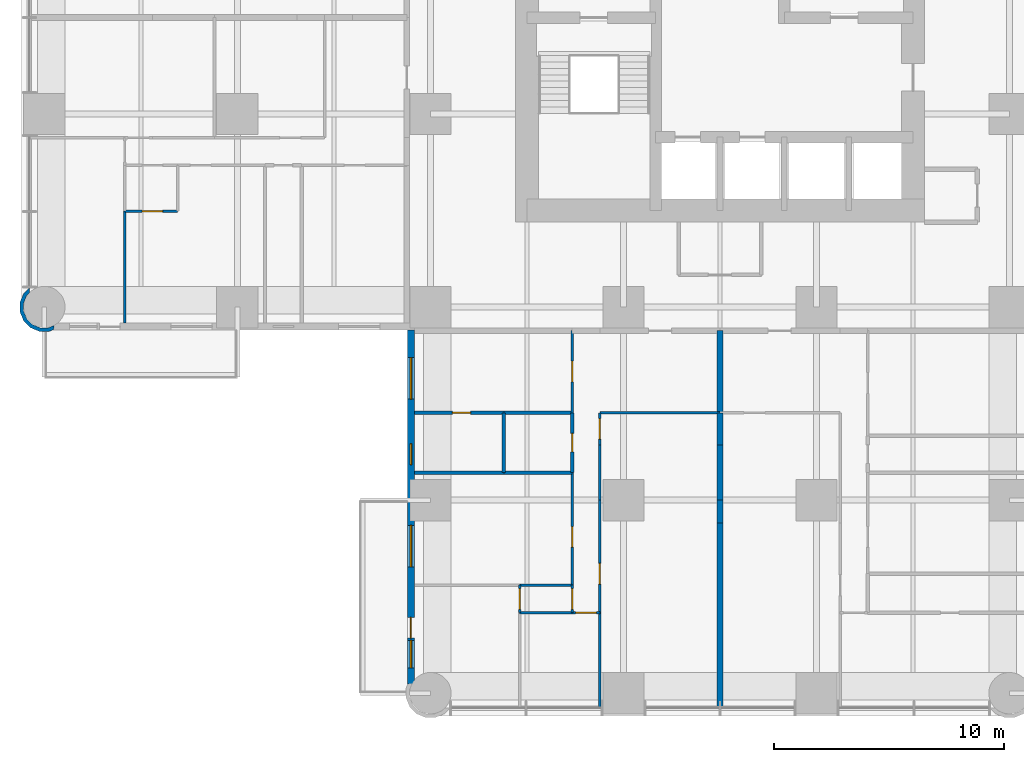
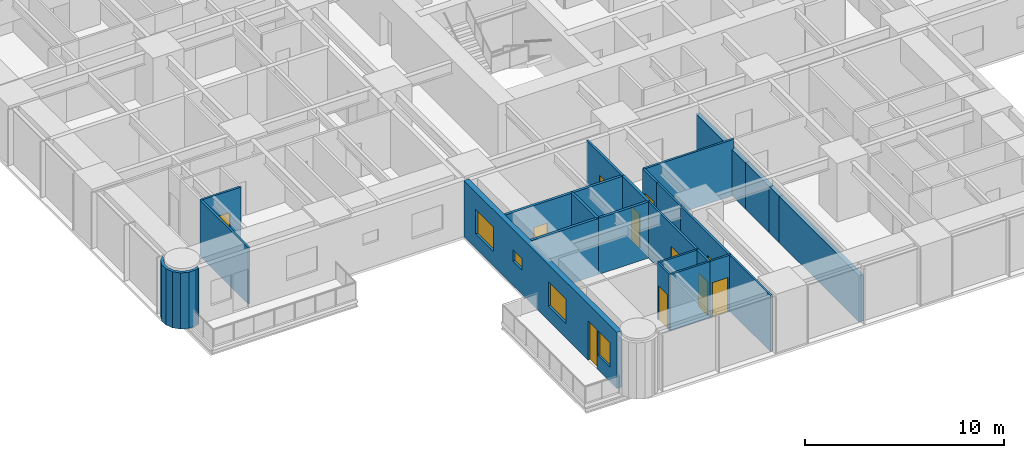
# One storey, part 7 of 17: 27 walls, 11 doors, 4 windows, 15 openings.
"""IFC4 building model written with IfcOpenShell, lengths in metres."""

from ifc_helpers import new_model, si_unit, direction, frame, frame_2d, origin, place, context, subcontext, project, spatial, polyline, rectangle, outline, extrude, material, layer, layer_set, type_object, element, fill, save


model = new_model("IFC4")

# Units and contexts
model_context = context("Model", 3, precision=1e-05, world=origin(), true_north=direction((0.0, 1.0)))
body_context = subcontext(model_context, "Body", "Model", "MODEL_VIEW")
ifc_project = project(units=[si_unit("LENGTHUNIT", "METRE"), si_unit("AREAUNIT", "SQUARE_METRE"), si_unit("VOLUMEUNIT", "CUBIC_METRE"), si_unit("PLANEANGLEUNIT", "RADIAN"), si_unit("MASSUNIT", "GRAM", prefix="KILO")], contexts=[model_context])

# Site, building, storey
site_placement = place(None, origin())
site = spatial("IfcSite", under=ifc_project, at=site_placement, CompositionType="ELEMENT")
building_placement = place(site_placement, origin())
building = spatial("IfcBuilding", under=site, at=building_placement, Name="Torre Alcanfor", CompositionType="ELEMENT")
storey_placement = place(building_placement, frame((0.0, 0.0, 45.300048828125)))
storey = spatial("IfcBuildingStorey", under=building, at=storey_placement, Name="L10", CompositionType="ELEMENT", Elevation=45.300048828125)

# Wall
ifc_material_1 = material(Name="Gypsum board on steel studs", Category="steel")
ifc_layer_1 = layer(ifc_material_1, 0.1201171875)
ifc_layer_set_1 = layer_set([ifc_layer_1], Name="Apartment partition 120")
wall_type_1 = type_object("IfcWallType", Name="Apartment partition 120", PredefinedType="PARTITIONING", material=ifc_layer_set_1)
wall_1_placement = place(storey_placement, frame((29.39990234375, 12.199951171875, 0.0), z_axis=(0.0, 0.0, 1.0), x_axis=(-1.0, 0.0, 0.0)))
element("IfcWall", 1, at=wall_1_placement, inside=storey, type_object=wall_type_1, Name="Partition L10-S2-ZAG / L10-S2-LAUND", PredefinedType="PARTITIONING", context=body_context, shape_type="SweptSolid", body=[
    extrude(rectangle(XDim=5.22900390625, YDim=0.1201171875, at=frame_2d((2.614501953125, 0.0))), origin(), (0.0, 0.0, 1.0), 3.449951171875),
])

# Wall, opening, door
wall_2_placement = place(storey_placement, frame((24.1708984375, 10.800048828125, 0.0), z_axis=(0.0, 0.0, 1.0), x_axis=(0.0, 1.0, 0.0)))
wall_2 = element("IfcWall", 2, at=wall_2_placement, inside=storey, type_object=wall_type_1, Name="Partition L10-S2-LAUND / L10-S2-HALL", PredefinedType="PARTITIONING", context=body_context, shape_type="SweptSolid", body=[
    extrude(rectangle(XDim=1.39990234375, YDim=0.1201171875, at=frame_2d((0.699951171875, 0.0))), origin(), (0.0, 0.0, 1.0), 3.449951171875),
])
opening_1_placement = place(wall_2_placement, frame((0.25, 0.0, 0.0)))
opening_1 = element("IfcOpeningElement", 3, at=opening_1_placement, cuts=wall_2, Name="Opening D-R1", PredefinedType="OPENING", context=body_context, shape_type="SweptSolid", body=[
    extrude(rectangle(XDim=0.89990234375, YDim=2.10009765625, at=frame_2d((0.449951171875, 1.050048828125))), frame((0.0, 0.070068359375, 0.0), z_axis=(0.0, -1.0, 0.0), x_axis=(1.0, 0.0, 0.0)), (0.0, 0.0, 1.0), 0.14013671875),
])
ifc_material_2 = material(Name="Timber", Category="wood")
door_type_1 = type_object("IfcDoorType", Name="Internal door 900x2100", OperationType="SINGLE_SWING_LEFT", PredefinedType="DOOR", material=ifc_material_2)
door_1_placement = place(opening_1_placement, frame((0.89990234375, 0.0, 0.0), z_axis=(0.0, 0.0, 1.0), x_axis=(-1.0, 0.0, 0.0)))
door_1 = element("IfcDoor", 4, at=door_1_placement, inside=storey, type_object=door_type_1, Name="Door L10-S2 laund", OperationType="SINGLE_SWING_RIGHT", OverallHeight=2.10009765625, OverallWidth=0.89990234375, PredefinedType="DOOR", context=body_context, shape_type="SweptSolid", body=[
    extrude(rectangle(XDim=0.89990234375, YDim=2.10009765625, at=frame_2d((0.449951171875, 1.050048828125))), frame((0.0, 0.025146484375, 0.0), z_axis=(0.0, -1.0, 0.0), x_axis=(1.0, 0.0, 0.0)), (0.0, 0.0, 1.0), 0.050048828125),
])
fill(opening_1, door_1)

# Wall
wall_3_placement = place(storey_placement, frame((24.1708984375, 8.39990234375, 0.0), z_axis=(0.0, 0.0, 1.0), x_axis=(0.0, 1.0, 0.0)))
element("IfcWall", 5, at=wall_3_placement, inside=storey, type_object=wall_type_1, Name="Partition L10-S2-KITCHEN / L10-S2-HALL", PredefinedType="PARTITIONING", context=body_context, shape_type="SweptSolid", body=[
    extrude(rectangle(XDim=2.400146484375, YDim=0.1201171875, at=frame_2d((1.2001953125, 0.0))), origin(), (0.0, 0.0, 1.0), 3.449951171875),
])

# Wall, opening, door
wall_4_placement = place(storey_placement, frame((24.1708984375, 3.5, 0.0), z_axis=(0.0, 0.0, 1.0), x_axis=(0.0, 1.0, 0.0)))
wall_4 = element("IfcWall", 6, at=wall_4_placement, inside=storey, type_object=wall_type_1, Name="Partition L10-S2-LIVING / L10-S2-HALL", PredefinedType="PARTITIONING", context=body_context, shape_type="SweptSolid", body=[
    extrude(rectangle(XDim=4.89990234375, YDim=0.1201171875, at=frame_2d((2.449951171875, 0.0))), origin(), (0.0, 0.0, 1.0), 3.449951171875),
])
opening_2_placement = place(wall_4_placement, frame((1.25, 0.0, 0.0)))
opening_2 = element("IfcOpeningElement", 7, at=opening_2_placement, cuts=wall_4, Name="Opening D-R1", PredefinedType="OPENING", context=body_context, shape_type="SweptSolid", body=[
    extrude(rectangle(XDim=0.89990234375, YDim=2.10009765625, at=frame_2d((0.449951171875, 1.050048828125))), frame((0.0, 0.070068359375, 0.0), z_axis=(0.0, -1.0, 0.0), x_axis=(1.0, 0.0, 0.0)), (0.0, 0.0, 1.0), 0.14013671875),
])
door_2_placement = place(opening_2_placement, frame((0.89990234375, 0.0, 0.0), z_axis=(0.0, 0.0, 1.0), x_axis=(-1.0, 0.0, 0.0)))
door_2 = element("IfcDoor", 8, at=door_2_placement, inside=storey, type_object=door_type_1, Name="Door L10-S2 living", OperationType="SINGLE_SWING_LEFT", OverallHeight=2.10009765625, OverallWidth=0.89990234375, PredefinedType="DOOR", context=body_context, shape_type="SweptSolid", body=[
    extrude(rectangle(XDim=0.89990234375, YDim=2.10009765625, at=frame_2d((0.449951171875, 1.050048828125))), frame((0.0, 0.025146484375, 0.0), z_axis=(0.0, -1.0, 0.0), x_axis=(1.0, 0.0, 0.0)), (0.0, 0.0, 1.0), 0.050048828125),
])
fill(opening_2, door_2)

# Wall
wall_5_placement = place(storey_placement, frame((24.1708984375, -0.64990234375, 0.0), z_axis=(0.0, 0.0, 1.0), x_axis=(0.0, 1.0, 0.0)))
element("IfcWall", 9, at=wall_5_placement, inside=storey, type_object=wall_type_1, Name="Partition L10-S2-LIVING / L10-S2-BED2", PredefinedType="PARTITIONING", context=body_context, shape_type="SweptSolid", body=[
    extrude(rectangle(XDim=4.14990234375, YDim=0.1201171875, at=frame_2d((2.074951171875, 0.0))), origin(), (0.0, 0.0, 1.0), 3.449951171875),
])

# Wall, opening, door
wall_6_placement = place(storey_placement, frame((22.970947265625, 12.199951171875, 0.0), z_axis=(0.0, 0.0, 1.0), x_axis=(0.0, 1.0, 0.0)))
wall_6 = element("IfcWall", 10, at=wall_6_placement, inside=storey, type_object=wall_type_1, Name="Partition L10-S2-HALL / L10-S2-SERV", PredefinedType="PARTITIONING", context=body_context, shape_type="SweptSolid", body=[
    extrude(rectangle(XDim=3.574951171875, YDim=0.1201171875, at=frame_2d((1.78759765625, 0.0))), origin(), (0.0, 0.0, 1.0), 3.449951171875),
])
opening_3_placement = place(wall_6_placement, frame((1.35009765625, 0.0, 0.0)))
opening_3 = element("IfcOpeningElement", 11, at=opening_3_placement, cuts=wall_6, Name="Opening D-R1", PredefinedType="OPENING", context=body_context, shape_type="SweptSolid", body=[
    extrude(rectangle(XDim=0.89990234375, YDim=2.10009765625, at=frame_2d((0.449951171875, 1.050048828125))), frame((0.0, 0.070068359375, 0.0), z_axis=(0.0, -1.0, 0.0), x_axis=(1.0, 0.0, 0.0)), (0.0, 0.0, 1.0), 0.14013671875),
])
door_3_placement = place(opening_3_placement, origin())
door_3 = element("IfcDoor", 12, at=door_3_placement, inside=storey, type_object=door_type_1, Name="Door L10-S2 serv", OperationType="SINGLE_SWING_RIGHT", OverallHeight=2.10009765625, OverallWidth=0.89990234375, PredefinedType="DOOR", context=body_context, shape_type="SweptSolid", body=[
    extrude(rectangle(XDim=0.89990234375, YDim=2.10009765625, at=frame_2d((0.449951171875, 1.050048828125))), frame((0.0, 0.02490234375, 0.0), z_axis=(0.0, -1.0, 0.0), x_axis=(1.0, 0.0, 0.0)), (0.0, 0.0, 1.0), 0.050048828125),
])
fill(opening_3, door_3)

wall_7_placement = place(storey_placement, frame((22.970947265625, 4.699951171875, 0.0), z_axis=(0.0, 0.0, 1.0), x_axis=(0.0, 1.0, 0.0)))
wall_7 = element("IfcWall", 13, at=wall_7_placement, inside=storey, type_object=wall_type_1, Name="Partition L10-S2-HALL / L10-S2-BED3", PredefinedType="PARTITIONING", context=body_context, shape_type="SweptSolid", body=[
    extrude(rectangle(XDim=4.900146484375, YDim=0.1201171875, at=frame_2d((2.4501953125, 0.0))), origin(), (0.0, 0.0, 1.0), 3.449951171875),
])
opening_4_placement = place(wall_7_placement, frame((1.64990234375, 0.0, 0.0)))
opening_4 = element("IfcOpeningElement", 14, at=opening_4_placement, cuts=wall_7, Name="Opening D-R1", PredefinedType="OPENING", context=body_context, shape_type="SweptSolid", body=[
    extrude(rectangle(XDim=0.89990234375, YDim=2.10009765625, at=frame_2d((0.449951171875, 1.050048828125))), frame((0.0, 0.070068359375, 0.0), z_axis=(0.0, -1.0, 0.0), x_axis=(1.0, 0.0, 0.0)), (0.0, 0.0, 1.0), 0.14013671875),
])
door_4_placement = place(opening_4_placement, origin())
door_4 = element("IfcDoor", 15, at=door_4_placement, inside=storey, type_object=door_type_1, Name="Door L10-S2 bed3", OperationType="SINGLE_SWING_LEFT", OverallHeight=2.10009765625, OverallWidth=0.89990234375, PredefinedType="DOOR", context=body_context, shape_type="SweptSolid", body=[
    extrude(rectangle(XDim=0.89990234375, YDim=2.10009765625, at=frame_2d((0.449951171875, 1.050048828125))), frame((0.0, 0.02490234375, 0.0), z_axis=(0.0, -1.0, 0.0), x_axis=(1.0, 0.0, 0.0)), (0.0, 0.0, 1.0), 0.050048828125),
])
fill(opening_4, door_4)

wall_8_placement = place(storey_placement, frame((22.970947265625, 3.5, 0.0), z_axis=(0.0, 0.0, 1.0), x_axis=(0.0, 1.0, 0.0)))
wall_8 = element("IfcWall", 16, at=wall_8_placement, inside=storey, type_object=wall_type_1, Name="Partition L10-S2-HALL / L10-S2-VEST", PredefinedType="PARTITIONING", context=body_context, shape_type="SweptSolid", body=[
    extrude(rectangle(XDim=1.199951171875, YDim=0.1201171875, at=frame_2d((0.60009765625, 0.0))), origin(), (0.0, 0.0, 1.0), 3.449951171875),
])
opening_5_placement = place(wall_8_placement, frame((0.14990234375, 0.0, 0.0)))
opening_5 = element("IfcOpeningElement", 17, at=opening_5_placement, cuts=wall_8, Name="Opening D-R1", PredefinedType="OPENING", context=body_context, shape_type="SweptSolid", body=[
    extrude(rectangle(XDim=0.89990234375, YDim=2.10009765625, at=frame_2d((0.449951171875, 1.050048828125))), frame((0.0, 0.070068359375, 0.0), z_axis=(0.0, -1.0, 0.0), x_axis=(1.0, 0.0, 0.0)), (0.0, 0.0, 1.0), 0.14013671875),
])
door_5_placement = place(opening_5_placement, origin())
door_5 = element("IfcDoor", 18, at=door_5_placement, inside=storey, type_object=door_type_1, Name="Door L10-S2 vest", OperationType="SINGLE_SWING_LEFT", OverallHeight=2.10009765625, OverallWidth=0.89990234375, PredefinedType="DOOR", context=body_context, shape_type="SweptSolid", body=[
    extrude(rectangle(XDim=0.89990234375, YDim=2.10009765625, at=frame_2d((0.449951171875, 1.050048828125))), frame((0.0, 0.02490234375, 0.0), z_axis=(0.0, -1.0, 0.0), x_axis=(1.0, 0.0, 0.0)), (0.0, 0.0, 1.0), 0.050048828125),
])
fill(opening_5, door_5)

wall_9_placement = place(storey_placement, frame((24.1708984375, 3.5, 0.0), z_axis=(0.0, 0.0, 1.0), x_axis=(-1.0, 0.0, 0.0)))
wall_9 = element("IfcWall", 19, at=wall_9_placement, inside=storey, type_object=wall_type_1, Name="Partition L10-S2-HALL / L10-S2-BED2", PredefinedType="PARTITIONING", context=body_context, shape_type="SweptSolid", body=[
    extrude(rectangle(XDim=1.199951171875, YDim=0.1201171875, at=frame_2d((0.60009765625, 0.0))), origin(), (0.0, 0.0, 1.0), 3.449951171875),
])
opening_6_placement = place(wall_9_placement, frame((0.15087890625, 0.0, 0.0)))
opening_6 = element("IfcOpeningElement", 20, at=opening_6_placement, cuts=wall_9, Name="Opening D-R1", PredefinedType="OPENING", context=body_context, shape_type="SweptSolid", body=[
    extrude(rectangle(XDim=0.89990234375, YDim=2.10009765625, at=frame_2d((0.449951171875, 1.050048828125))), frame((0.0, 0.070068359375, 0.0), z_axis=(0.0, -1.0, 0.0), x_axis=(1.0, 0.0, 0.0)), (0.0, 0.0, 1.0), 0.14013671875),
])
door_6_placement = place(opening_6_placement, origin())
door_6 = element("IfcDoor", 21, at=door_6_placement, inside=storey, type_object=door_type_1, Name="Door L10-S2 bed2", OperationType="SINGLE_SWING_LEFT", OverallHeight=2.10009765625, OverallWidth=0.89990234375, PredefinedType="DOOR", context=body_context, shape_type="SweptSolid", body=[
    extrude(rectangle(XDim=0.89990234375, YDim=2.10009765625, at=frame_2d((0.449951171875, 1.050048828125))), frame((0.0, 0.02490234375, 0.0), z_axis=(0.0, -1.0, 0.0), x_axis=(1.0, 0.0, 0.0)), (0.0, 0.0, 1.0), 0.050048828125),
])
fill(opening_6, door_6)

# Walls
for number, where, z_axis, x_axis, name in (
    (22, (22.970947265625, 4.699951171875, 0.0), (0.0, 0.0, 1.0), (-1.0, 0.0, 0.0), "Partition L10-S2-BED3 / L10-S2-VEST"),
    (23, (22.970947265625, 3.5, 0.0), (0.0, 0.0, 1.0), (-1.0, 0.0, 0.0), "Partition L10-S2-VEST / L10-S2-BED2"),
):
    element("IfcWall", number, at=place(storey_placement, frame(where, z_axis=z_axis, x_axis=x_axis)), inside=storey, type_object=wall_type_1, Name=name, PredefinedType="PARTITIONING", context=body_context, shape_type="SweptSolid", body=[
        extrude(rectangle(XDim=2.284912109375, YDim=0.1201171875, at=frame_2d((1.142578125, 0.0))), origin(), (0.0, 0.0, 1.0), 3.449951171875),
    ])

# Wall, opening, door
wall_10_placement = place(storey_placement, frame((20.68603515625, 3.5, 0.0), z_axis=(0.0, 0.0, 1.0), x_axis=(0.0, 1.0, 0.0)))
wall_10 = element("IfcWall", 24, at=wall_10_placement, inside=storey, type_object=wall_type_1, Name="Partition L10-S2-VEST / L10-S2-MASTER", PredefinedType="PARTITIONING", context=body_context, shape_type="SweptSolid", body=[
    extrude(rectangle(XDim=1.199951171875, YDim=0.1201171875, at=frame_2d((0.60009765625, 0.0))), origin(), (0.0, 0.0, 1.0), 3.449951171875),
])
opening_7_placement = place(wall_10_placement, frame((0.14990234375, 0.0, 0.0)))
opening_7 = element("IfcOpeningElement", 25, at=opening_7_placement, cuts=wall_10, Name="Opening D-R1", PredefinedType="OPENING", context=body_context, shape_type="SweptSolid", body=[
    extrude(rectangle(XDim=0.89990234375, YDim=2.10009765625, at=frame_2d((0.449951171875, 1.050048828125))), frame((0.0, 0.070068359375, 0.0), z_axis=(0.0, -1.0, 0.0), x_axis=(1.0, 0.0, 0.0)), (0.0, 0.0, 1.0), 0.14013671875),
])
door_7_placement = place(opening_7_placement, frame((0.89990234375, 0.0, 0.0), z_axis=(0.0, 0.0, 1.0), x_axis=(-1.0, 0.0, 0.0)))
door_7 = element("IfcDoor", 26, at=door_7_placement, inside=storey, type_object=door_type_1, Name="Door L10-S2 master", OperationType="SINGLE_SWING_RIGHT", OverallHeight=2.10009765625, OverallWidth=0.89990234375, PredefinedType="DOOR", context=body_context, shape_type="SweptSolid", body=[
    extrude(rectangle(XDim=0.89990234375, YDim=2.10009765625, at=frame_2d((0.449951171875, 1.050048828125))), frame((0.0, 0.025146484375, 0.0), z_axis=(0.0, -1.0, 0.0), x_axis=(1.0, 0.0, 0.0)), (0.0, 0.0, 1.0), 0.050048828125),
])
fill(opening_7, door_7)

wall_11_placement = place(storey_placement, frame((3.5, 20.970947265625, 0.0), z_axis=(0.0, 0.0, 1.0), x_axis=(1.0, 0.0, 0.0)))
wall_11 = element("IfcWall", 27, at=wall_11_placement, inside=storey, type_object=wall_type_1, Name="Partition L10-W1-MASTER / L10-W1-VEST", PredefinedType="PARTITIONING", context=body_context, shape_type="SweptSolid", body=[
    extrude(rectangle(XDim=2.300048828125, YDim=0.1201171875, at=frame_2d((1.14990234375, 0.0))), origin(), (0.0, 0.0, 1.0), 3.449951171875),
])
opening_8_placement = place(wall_11_placement, frame((0.75, 0.0, 0.0)))
opening_8 = element("IfcOpeningElement", 28, at=opening_8_placement, cuts=wall_11, Name="Opening D-R1", PredefinedType="OPENING", context=body_context, shape_type="SweptSolid", body=[
    extrude(rectangle(XDim=0.89990234375, YDim=2.10009765625, at=frame_2d((0.449951171875, 1.050048828125))), frame((0.0, 0.070068359375, 0.0), z_axis=(0.0, -1.0, 0.0), x_axis=(1.0, 0.0, 0.0)), (0.0, 0.0, 1.0), 0.14013671875),
])
door_8_placement = place(opening_8_placement, origin())
door_8 = element("IfcDoor", 29, at=door_8_placement, inside=storey, type_object=door_type_1, Name="Door L10-W1 master", OperationType="SINGLE_SWING_RIGHT", OverallHeight=2.10009765625, OverallWidth=0.89990234375, PredefinedType="DOOR", context=body_context, shape_type="SweptSolid", body=[
    extrude(rectangle(XDim=0.89990234375, YDim=2.10009765625, at=frame_2d((0.449951171875, 1.050048828125))), frame((0.0, 0.02490234375, 0.0), z_axis=(0.0, -1.0, 0.0), x_axis=(1.0, 0.0, 0.0)), (0.0, 0.0, 1.0), 0.050048828125),
])
fill(opening_8, door_8)

# Wall
wall_12_placement = place(storey_placement, frame((3.5, 16.10009765625, 0.0), z_axis=(0.0, 0.0, 1.0), x_axis=(0.0, 1.0, 0.0)))
element("IfcWall", 30, at=wall_12_placement, inside=storey, type_object=wall_type_1, Name="Partition L10-W1-MASTER / L10-W1-WGARD", PredefinedType="PARTITIONING", context=body_context, shape_type="SweptSolid", body=[
    extrude(rectangle(XDim=4.870849609375, YDim=0.1201171875, at=frame_2d((2.435546875, 0.0))), origin(), (0.0, 0.0, 1.0), 3.449951171875),
])

# Wall, openings, door, windows
ifc_material_3 = material(Name="Limestone cladding", Category="masonry")
ifc_layer_2 = layer(ifc_material_3, 0.0400390625, Name="Facing")
ifc_material_4 = material(Name="Ventilated air cavity")
ifc_layer_3 = layer(ifc_material_4, 0.02001953125, ventilated=True, Name="Ventilated joint")
ifc_material_5 = material(Name="Mineral wool insulation", Category="insulation")
ifc_layer_4 = layer(ifc_material_5, 0.10009765625, Name="Insulation")
ifc_material_6 = material(Name="Concrete f'c 35 MPa", Category="concrete")
ifc_layer_5 = layer(ifc_material_6, 0.139892578125, Name="Backing")
ifc_layer_set_2 = layer_set([ifc_layer_2, ifc_layer_3, ifc_layer_4, ifc_layer_5], Name="External wall stone-clad 300")
wall_type_2 = type_object("IfcWallType", Name="External wall stone-clad 300", PredefinedType="SOLIDWALL", material=ifc_layer_set_2)
wall_13_placement = place(storey_placement, frame((15.949951171875, 15.800048828125, 0.0), z_axis=(0.0, 0.0, 1.0), x_axis=(0.0, -1.0, 0.0)))
wall_13 = element("IfcWall", 31, at=wall_13_placement, inside=storey, type_object=wall_type_2, Name="External wall L10 4", PredefinedType="SOLIDWALL", context=body_context, shape_type="SweptSolid", body=[
    extrude(rectangle(XDim=15.400146484375, YDim=0.300048828125, at=frame_2d((7.7001953125, 0.0))), origin(), (0.0, 0.0, 1.0), 3.449951171875),
])
opening_9_placement = place(wall_13_placement, frame((1.199951171875, 0.0, 0.89990234375)))
opening_9 = element("IfcOpeningElement", 32, at=opening_9_placement, cuts=wall_13, Name="Opening W2", PredefinedType="OPENING", context=body_context, shape_type="SweptSolid", body=[
    extrude(rectangle(XDim=1.800048828125, YDim=1.5, at=frame_2d((0.89990234375, 0.75))), frame((0.0, 0.159912109375, 0.0), z_axis=(0.0, -1.0, 0.0), x_axis=(1.0, 0.0, 0.0)), (0.0, 0.0, 1.0), 0.320068359375),
])
opening_10_placement = place(wall_13_placement, frame((4.949951171875, 0.0, 1.5)))
opening_10 = element("IfcOpeningElement", 33, at=opening_10_placement, cuts=wall_13, Name="Opening W3", PredefinedType="OPENING", context=body_context, shape_type="SweptSolid", body=[
    extrude(rectangle(XDim=0.89990234375, YDim=0.699951171875, at=frame_2d((0.449951171875, 0.35009765625))), frame((0.0, 0.159912109375, 0.0), z_axis=(0.0, -1.0, 0.0), x_axis=(1.0, 0.0, 0.0)), (0.0, 0.0, 1.0), 0.320068359375),
])
opening_11_placement = place(wall_13_placement, frame((8.5, 0.0, 0.89990234375)))
opening_11 = element("IfcOpeningElement", 34, at=opening_11_placement, cuts=wall_13, Name="Opening W2", PredefinedType="OPENING", context=body_context, shape_type="SweptSolid", body=[
    extrude(rectangle(XDim=1.800048828125, YDim=1.5, at=frame_2d((0.89990234375, 0.75))), frame((0.0, 0.159912109375, 0.0), z_axis=(0.0, -1.0, 0.0), x_axis=(1.0, 0.0, 0.0)), (0.0, 0.0, 1.0), 0.320068359375),
])
opening_12_placement = place(wall_13_placement, frame((12.5, 0.0, 0.0)))
opening_12 = element("IfcOpeningElement", 35, at=opening_12_placement, cuts=wall_13, Name="Opening D-B1", PredefinedType="OPENING", context=body_context, shape_type="SweptSolid", body=[
    extrude(rectangle(XDim=0.89990234375, YDim=2.39990234375, at=frame_2d((0.449951171875, 1.199951171875))), frame((0.0, 0.159912109375, 0.0), z_axis=(0.0, -1.0, 0.0), x_axis=(1.0, 0.0, 0.0)), (0.0, 0.0, 1.0), 0.320068359375),
])
opening_13_placement = place(wall_13_placement, frame((13.5, 0.0, 0.89990234375)))
opening_13 = element("IfcOpeningElement", 36, at=opening_13_placement, cuts=wall_13, Name="Opening W4", PredefinedType="OPENING", context=body_context, shape_type="SweptSolid", body=[
    extrude(rectangle(XDim=1.199951171875, YDim=1.5, at=frame_2d((0.60009765625, 0.75))), frame((0.0, 0.159912109375, 0.0), z_axis=(0.0, -1.0, 0.0), x_axis=(1.0, 0.0, 0.0)), (0.0, 0.0, 1.0), 0.320068359375),
])
ifc_material_7 = material(Name="Aluminium and glass", Category="aluminium")
door_type_2 = type_object("IfcDoorType", Name="Balcony door glazed 900x2400", OperationType="SINGLE_SWING_LEFT", PredefinedType="DOOR", material=ifc_material_7)
door_9_placement = place(opening_12_placement, origin())
door_9 = element("IfcDoor", 37, at=door_9_placement, inside=storey, type_object=door_type_2, Name="Balcony door L10-S2", OperationType="SINGLE_SWING_LEFT", OverallHeight=2.39990234375, OverallWidth=0.89990234375, PredefinedType="DOOR", context=body_context, shape_type="SweptSolid", body=[
    extrude(rectangle(XDim=0.89990234375, YDim=2.39990234375, at=frame_2d((0.449951171875, 1.199951171875))), frame((0.0, 0.02490234375, 0.0), z_axis=(0.0, -1.0, 0.0), x_axis=(1.0, 0.0, 0.0)), (0.0, 0.0, 1.0), 0.050048828125),
])
fill(opening_12, door_9)
ifc_material_8 = material(Name="Aluminium frame with clear double glazing", Category="aluminium")
window_type_1 = type_object("IfcWindowType", Name="Window bathroom 900x700", PartitioningType="SINGLE_PANEL", PredefinedType="WINDOW", material=ifc_material_8)
window_1_placement = place(opening_10_placement, origin())
window_1 = element("IfcWindow", 38, at=window_1_placement, inside=storey, type_object=window_type_1, Name="Window W3 L10-S2", OverallHeight=0.699951171875, OverallWidth=0.89990234375, PartitioningType="SINGLE_PANEL", PredefinedType="WINDOW", context=body_context, shape_type="SweptSolid", body=[
    extrude(rectangle(XDim=0.89990234375, YDim=0.699951171875, at=frame_2d((0.449951171875, 0.35009765625))), frame((0.0, 0.030029296875, 0.0), z_axis=(0.0, -1.0, 0.0), x_axis=(1.0, 0.0, 0.0)), (0.0, 0.0, 1.0), 0.06005859375),
])
fill(opening_10, window_1)
ifc_material_9 = material(Name="Aluminium frame with clear double glazing", Category="aluminium")
window_type_2 = type_object("IfcWindowType", Name="Window bedroom 1200x1500", PartitioningType="SINGLE_PANEL", PredefinedType="WINDOW", material=ifc_material_9)
window_2_placement = place(opening_13_placement, origin())
window_2 = element("IfcWindow", 39, at=window_2_placement, inside=storey, type_object=window_type_2, Name="Window W4 L10-S2", OverallHeight=1.5, OverallWidth=1.199951171875, PartitioningType="SINGLE_PANEL", PredefinedType="WINDOW", context=body_context, shape_type="SweptSolid", body=[
    extrude(rectangle(XDim=1.199951171875, YDim=1.5, at=frame_2d((0.60009765625, 0.75))), frame((0.0, 0.030029296875, 0.0), z_axis=(0.0, -1.0, 0.0), x_axis=(1.0, 0.0, 0.0)), (0.0, 0.0, 1.0), 0.06005859375),
])
fill(opening_13, window_2)
ifc_material_10 = material(Name="Aluminium frame with clear double glazing", Category="aluminium")
window_type_3 = type_object("IfcWindowType", Name="Window bedroom 1800x1500", PartitioningType="SINGLE_PANEL", PredefinedType="WINDOW", material=ifc_material_10)
window_3_placement = place(opening_9_placement, origin())
window_3 = element("IfcWindow", 40, at=window_3_placement, inside=storey, type_object=window_type_3, Name="Window W2 L10-S2", OverallHeight=1.5, OverallWidth=1.800048828125, PartitioningType="SINGLE_PANEL", PredefinedType="WINDOW", context=body_context, shape_type="SweptSolid", body=[
    extrude(rectangle(XDim=1.800048828125, YDim=1.5, at=frame_2d((0.89990234375, 0.75))), frame((0.0, 0.030029296875, 0.0), z_axis=(0.0, -1.0, 0.0), x_axis=(1.0, 0.0, 0.0)), (0.0, 0.0, 1.0), 0.06005859375),
])
fill(opening_9, window_3)
window_4_placement = place(opening_11_placement, origin())
window_4 = element("IfcWindow", 41, at=window_4_placement, inside=storey, type_object=window_type_3, Name="Window W2 L10-S2", OverallHeight=1.5, OverallWidth=1.800048828125, PartitioningType="SINGLE_PANEL", PredefinedType="WINDOW", context=body_context, shape_type="SweptSolid", body=[
    extrude(rectangle(XDim=1.800048828125, YDim=1.5, at=frame_2d((0.89990234375, 0.75))), frame((0.0, 0.030029296875, 0.0), z_axis=(0.0, -1.0, 0.0), x_axis=(1.0, 0.0, 0.0)), (0.0, 0.0, 1.0), 0.06005859375),
])
fill(opening_11, window_4)

# Walls
ifc_material_11 = material(Name="Concrete block masonry, hollow blocks NMX-C-404 9 MPa", Category="masonry")
ifc_layer_6 = layer(ifc_material_11, 0.25)
ifc_layer_set_3 = layer_set([ifc_layer_6], Name="Party wall 250 EI 60")
wall_type_3 = type_object("IfcWallType", Name="Party wall 250 EI 60", PredefinedType="PARTITIONING", material=ifc_layer_set_3)
wall_14_placement = place(storey_placement, frame((29.39990234375, 15.77490234375, 0.0), z_axis=(0.0, 0.0, 1.0), x_axis=(0.0, -1.0, 0.0)))
element("IfcWall", 42, at=wall_14_placement, inside=storey, type_object=wall_type_3, Name="Partition L10-S1-ZAG / L10-S2-ZAG", PredefinedType="PARTITIONING", context=body_context, shape_type="SweptSolid", body=[
    extrude(rectangle(XDim=3.574951171875, YDim=0.25, at=frame_2d((1.78759765625, 0.0))), origin(), (0.0, 0.0, 1.0), 2.847900390625),
])
wall_15_placement = place(storey_placement, frame((29.39990234375, 12.199951171875, 0.0), z_axis=(0.0, 0.0, 1.0), x_axis=(0.0, -1.0, 0.0)))
element("IfcWall", 43, at=wall_15_placement, inside=storey, type_object=wall_type_3, Name="Partition L10-S1-KITCHEN / L10-S2-LAUND", PredefinedType="PARTITIONING", context=body_context, shape_type="SweptSolid", body=[
    extrude(rectangle(XDim=1.39990234375, YDim=0.25, at=frame_2d((0.699951171875, 0.0))), origin(), (0.0, 0.0, 1.0), 2.847900390625),
])
wall_16_placement = place(storey_placement, frame((29.39990234375, 10.800048828125, 0.0), z_axis=(0.0, 0.0, 1.0), x_axis=(0.0, -1.0, 0.0)))
element("IfcWall", 44, at=wall_16_placement, inside=storey, type_object=wall_type_3, Name="Partition L10-S1-KITCHEN / L10-S2-KITCHEN", PredefinedType="PARTITIONING", context=body_context, shape_type="SweptSolid", body=[
    extrude(rectangle(XDim=2.400146484375, YDim=0.25, at=frame_2d((1.2001953125, 0.0))), origin(), (0.0, 0.0, 1.0), 2.847900390625),
])
wall_17_placement = place(storey_placement, frame((29.39990234375, 8.39990234375, 0.0), z_axis=(0.0, 0.0, 1.0), x_axis=(0.0, -1.0, 0.0)))
element("IfcWall", 45, at=wall_17_placement, inside=storey, type_object=wall_type_3, Name="Partition L10-S1-KITCHEN / L10-S2-LIVING", PredefinedType="PARTITIONING", context=body_context, shape_type="SweptSolid", body=[
    extrude(rectangle(XDim=1.0, YDim=0.25, at=frame_2d((0.5, 0.0))), origin(), (0.0, 0.0, 1.0), 2.847900390625),
])
wall_18_placement = place(storey_placement, frame((29.39990234375, 7.39990234375, 0.0), z_axis=(0.0, 0.0, 1.0), x_axis=(0.0, -1.0, 0.0)))
element("IfcWall", 46, at=wall_18_placement, inside=storey, type_object=wall_type_3, Name="Partition L10-S1-LIVING / L10-S2-LIVING", PredefinedType="PARTITIONING", context=body_context, shape_type="SweptSolid", body=[
    extrude(rectangle(XDim=8.0498046875, YDim=0.25, at=frame_2d((4.02490234375, 0.0))), origin(), (0.0, 0.0, 1.0), 2.847900390625),
])
ifc_layer_7 = layer(ifc_material_3, 0.0400390625, Name="Facing")
ifc_layer_8 = layer(ifc_material_4, 0.02001953125, ventilated=True, Name="Ventilated joint")
ifc_layer_9 = layer(ifc_material_5, 0.10009765625, Name="Insulation")
ifc_layer_10 = layer(ifc_material_6, 0.139892578125, Name="Backing")
ifc_layer_set_4 = layer_set([ifc_layer_7, ifc_layer_8, ifc_layer_9, ifc_layer_10], Name="Rounded corner pier stone-clad 300")
wall_type_4 = type_object("IfcWallType", Name="Rounded corner pier stone-clad 300", PredefinedType="SOLIDWALL", material=ifc_layer_set_4)
wall_19_placement = place(storey_placement, frame((-0.610519256, 17.56659392, 0.0), z_axis=(0.0, 0.0, 1.0), x_axis=(-0.926129809145, -0.377204953059, 0.0)))
element("IfcWall", 47, at=wall_19_placement, inside=storey, type_object=wall_type_4, Name="Corner pier L10 14", PredefinedType="SOLIDWALL", context=body_context, shape_type="SweptSolid", body=[
    extrude(outline(polyline([(-0.2694320048751383, 2.0171861008885523), (-0.3700526678318482, 1.8406866495551875), (-0.10232913830325796, 1.8423628952563784), (0.22959433821660935, 1.7071732294627), (0.4846648868960458, 1.4551341488862783), (0.6237723089217844, 1.1248457008471362), (0.6256501657648526, 0.7663568996565957), (0.49046049997117414, 0.4344334231367283), (0.2387396163581813, 0.17949688931473468), (0.09014163443691028, 0.11691195088889664), (0.010851237809964043, -0.07776523799639344), (0.024417592436116662, -0.08329070117597158), (0.32956848036437986, 0.045229547111777235), (0.4801338191951393, 0.19743274075920003), (0.4990091877024963, 0.1926447125875501), (0.5075557555746872, 0.2252788612711387), (0.6260018077392729, 0.3452223941390844), (0.7850430562581303, 0.7357073014618439), (0.782472278983801, 1.15721841463542), (0.6187061231885674, 1.5460551039454697), (0.3187132761612602, 1.8424884313203629), (-0.07154552525106339, 2.0014375887862275), (-0.2401131340992967, 2.00049972024067), (-0.2694320048751383, 2.0171861008885523)])), origin(), (0.0, 0.0, 1.0), 3.449951171875),
])

# Wall, opening, door
ifc_material_12 = material(Name="Cement board on steel studs", Category="steel")
ifc_layer_11 = layer(ifc_material_12, 0.14990234375)
ifc_layer_set_5 = layer_set([ifc_layer_11], Name="Wet area partition 150")
wall_type_5 = type_object("IfcWallType", Name="Wet area partition 150", PredefinedType="PARTITIONING", material=ifc_layer_set_5)
wall_20_placement = place(storey_placement, frame((22.970947265625, 9.60009765625, 0.0), z_axis=(0.0, 0.0, 1.0), x_axis=(0.0, 1.0, 0.0)))
wall_20 = element("IfcWall", 48, at=wall_20_placement, inside=storey, type_object=wall_type_5, Name="Partition L10-S2-HALL / L10-S2-BATH1", PredefinedType="PARTITIONING", context=body_context, shape_type="SweptSolid", body=[
    extrude(rectangle(XDim=2.599853515625, YDim=0.14990234375, at=frame_2d((1.2998046875, 0.0))), origin(), (0.0, 0.0, 1.0), 3.449951171875),
])
opening_14_placement = place(wall_20_placement, frame((0.89990234375, 0.0, 0.0)))
opening_14 = element("IfcOpeningElement", 49, at=opening_14_placement, cuts=wall_20, Name="Opening D-R2", PredefinedType="OPENING", context=body_context, shape_type="SweptSolid", body=[
    extrude(rectangle(XDim=0.800048828125, YDim=2.10009765625, at=frame_2d((0.39990234375, 1.050048828125))), frame((0.0, 0.0849609375, 0.0), z_axis=(0.0, -1.0, 0.0), x_axis=(1.0, 0.0, 0.0)), (0.0, 0.0, 1.0), 0.169921875),
])
ifc_material_13 = material(Name="Timber", Category="wood")
door_type_3 = type_object("IfcDoorType", Name="Bathroom door 800x2100", OperationType="SINGLE_SWING_LEFT", PredefinedType="DOOR", material=ifc_material_13)
door_10_placement = place(opening_14_placement, origin())
door_10 = element("IfcDoor", 50, at=door_10_placement, inside=storey, type_object=door_type_3, Name="Door L10-S2 bath1", OperationType="SINGLE_SWING_LEFT", OverallHeight=2.10009765625, OverallWidth=0.800048828125, PredefinedType="DOOR", context=body_context, shape_type="SweptSolid", body=[
    extrude(rectangle(XDim=0.800048828125, YDim=2.10009765625, at=frame_2d((0.39990234375, 1.050048828125))), frame((0.0, 0.02490234375, 0.0), z_axis=(0.0, -1.0, 0.0), x_axis=(1.0, 0.0, 0.0)), (0.0, 0.0, 1.0), 0.050048828125),
])
fill(opening_14, door_10)

# Wall
wall_21_placement = place(storey_placement, frame((22.970947265625, 12.199951171875, 0.0), z_axis=(0.0, 0.0, 1.0), x_axis=(-1.0, 0.0, 0.0)))
element("IfcWall", 51, at=wall_21_placement, inside=storey, type_object=wall_type_5, Name="Partition L10-S2-SERV / L10-S2-BATH1", PredefinedType="PARTITIONING", context=body_context, shape_type="SweptSolid", body=[
    extrude(rectangle(XDim=2.970947265625, YDim=0.14990234375, at=frame_2d((1.4853515625, 0.0))), origin(), (0.0, 0.0, 1.0), 3.449951171875),
])

# Wall, opening, door
wall_22_placement = place(storey_placement, frame((20.0, 12.199951171875, 0.0), z_axis=(0.0, 0.0, 1.0), x_axis=(-1.0, 0.0, 0.0)))
wall_22 = element("IfcWall", 52, at=wall_22_placement, inside=storey, type_object=wall_type_5, Name="Partition L10-S2-SERV / L10-S2-SBATH", PredefinedType="PARTITIONING", context=body_context, shape_type="SweptSolid", body=[
    extrude(rectangle(XDim=3.89990234375, YDim=0.14990234375, at=frame_2d((1.949951171875, 0.0))), origin(), (0.0, 0.0, 1.0), 3.449951171875),
])
opening_15_placement = place(wall_22_placement, frame((1.449951171875, 0.0, 0.0)))
opening_15 = element("IfcOpeningElement", 53, at=opening_15_placement, cuts=wall_22, Name="Opening D-R2", PredefinedType="OPENING", context=body_context, shape_type="SweptSolid", body=[
    extrude(rectangle(XDim=0.800048828125, YDim=2.10009765625, at=frame_2d((0.39990234375, 1.050048828125))), frame((0.0, 0.0849609375, 0.0), z_axis=(0.0, -1.0, 0.0), x_axis=(1.0, 0.0, 0.0)), (0.0, 0.0, 1.0), 0.169921875),
])
door_11_placement = place(opening_15_placement, origin())
door_11 = element("IfcDoor", 54, at=door_11_placement, inside=storey, type_object=door_type_3, Name="Door L10-S2 sbath", OperationType="SINGLE_SWING_LEFT", OverallHeight=2.10009765625, OverallWidth=0.800048828125, PredefinedType="DOOR", context=body_context, shape_type="SweptSolid", body=[
    extrude(rectangle(XDim=0.800048828125, YDim=2.10009765625, at=frame_2d((0.39990234375, 1.050048828125))), frame((0.0, 0.02490234375, 0.0), z_axis=(0.0, -1.0, 0.0), x_axis=(1.0, 0.0, 0.0)), (0.0, 0.0, 1.0), 0.050048828125),
])
fill(opening_15, door_11)

# Walls
wall_23_placement = place(storey_placement, frame((20.0, 9.60009765625, 0.0), z_axis=(0.0, 0.0, 1.0), x_axis=(0.0, 1.0, 0.0)))
element("IfcWall", 55, at=wall_23_placement, inside=storey, type_object=wall_type_5, Name="Partition L10-S2-BATH1 / L10-S2-SBATH", PredefinedType="PARTITIONING", context=body_context, shape_type="SweptSolid", body=[
    extrude(rectangle(XDim=2.599853515625, YDim=0.14990234375, at=frame_2d((1.2998046875, 0.0))), origin(), (0.0, 0.0, 1.0), 3.449951171875),
])
wall_24_placement = place(storey_placement, frame((22.970947265625, 9.60009765625, 0.0), z_axis=(0.0, 0.0, 1.0), x_axis=(-1.0, 0.0, 0.0)))
element("IfcWall", 56, at=wall_24_placement, inside=storey, type_object=wall_type_5, Name="Partition L10-S2-BATH1 / L10-S2-BED3", PredefinedType="PARTITIONING", context=body_context, shape_type="SweptSolid", body=[
    extrude(rectangle(XDim=2.970947265625, YDim=0.14990234375, at=frame_2d((1.4853515625, 0.0))), origin(), (0.0, 0.0, 1.0), 3.449951171875),
])
wall_25_placement = place(storey_placement, frame((20.0, 9.60009765625, 0.0), z_axis=(0.0, 0.0, 1.0), x_axis=(-1.0, 0.0, 0.0)))
element("IfcWall", 57, at=wall_25_placement, inside=storey, type_object=wall_type_5, Name="Partition L10-S2-SBATH / L10-S2-BED3", PredefinedType="PARTITIONING", context=body_context, shape_type="SweptSolid", body=[
    extrude(rectangle(XDim=3.89990234375, YDim=0.14990234375, at=frame_2d((1.949951171875, 0.0))), origin(), (0.0, 0.0, 1.0), 3.449951171875),
])

save(model, "model.ifc")
